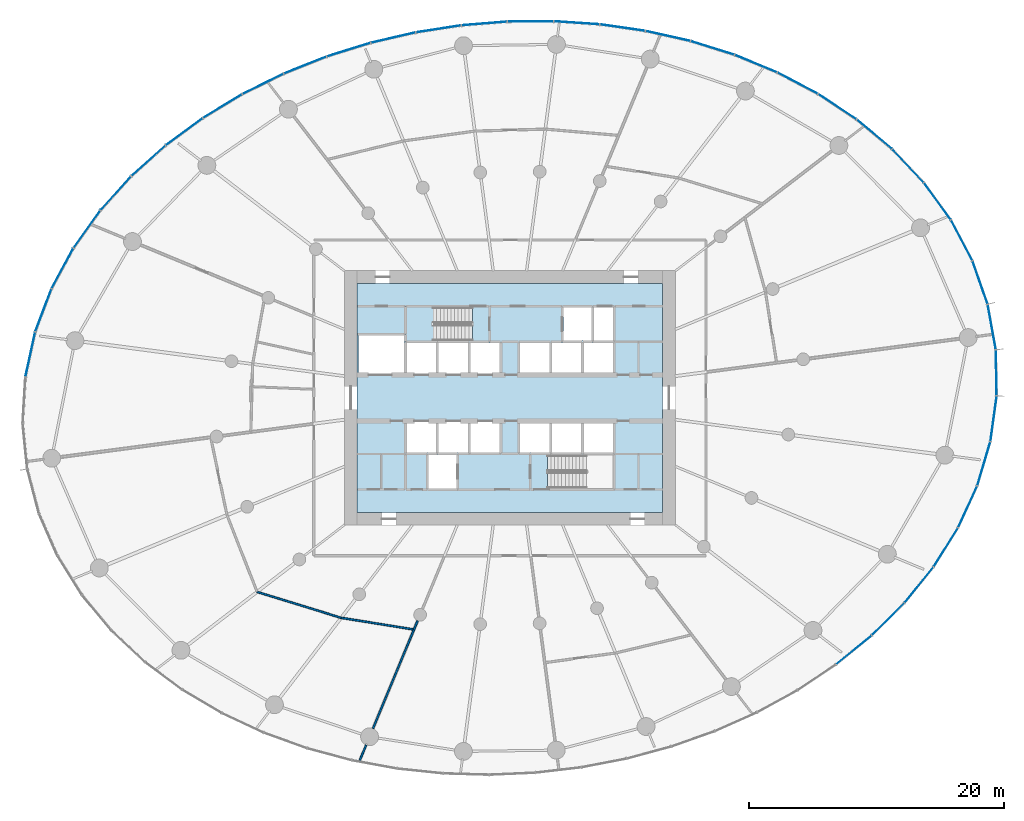
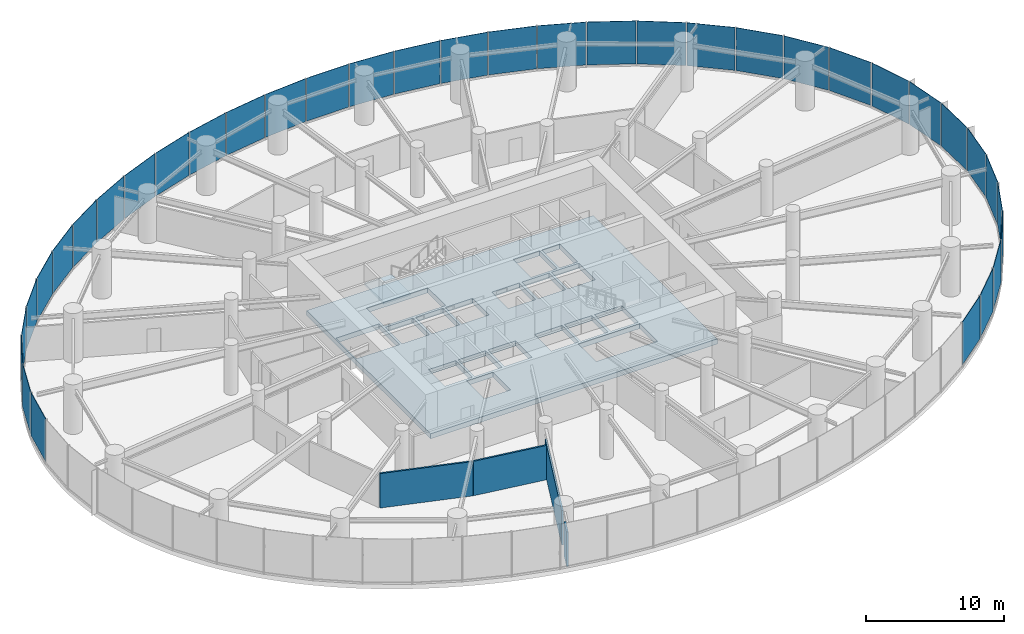
# One storey, part 10 of 17: 36 plates, 4 walls, 2 slabs, 8 elements without a shape of their own.
"""IFC4 building model written with IfcOpenShell, lengths in metres."""

from ifc_helpers import new_model, si_unit, direction, frame, frame_2d, origin, origin_2d, place, context, subcontext, project, spatial, line, indexed_curve, rectangle, outline, extrude, source, transform, mapped, material, layer, layer_set, type_object, element, aggregate, save


model = new_model("IFC4")

# Units and contexts
model_context = context("Model", 3, precision=1e-05, world=origin(), true_north=direction((0.0, 1.0)))
body_context = subcontext(model_context, "Body", "Model", "MODEL_VIEW")
ifc_project = project(units=[si_unit("LENGTHUNIT", "METRE"), si_unit("AREAUNIT", "SQUARE_METRE"), si_unit("VOLUMEUNIT", "CUBIC_METRE"), si_unit("PLANEANGLEUNIT", "RADIAN"), si_unit("MASSUNIT", "GRAM", prefix="KILO")], contexts=[model_context])

# Site, building, storey
site_placement = place(None, origin())
site = spatial("IfcSite", under=ifc_project, at=site_placement, CompositionType="ELEMENT")
building_placement = place(site_placement, origin())
building = spatial("IfcBuilding", under=site, at=building_placement, Name="Spindrift Exchange Tower", CompositionType="ELEMENT")
storey_placement = place(building_placement, frame((0.0, 0.0, 35.800048828125)))
storey = spatial("IfcBuildingStorey", under=building, at=storey_placement, Name="L08", CompositionType="ELEMENT", Elevation=35.800048828125)

# Slab
ifc_material_1 = material(Name="Concrete 50 MPa", Category="concrete")
ifc_layer_1 = layer(ifc_material_1, 0.449951171875)
ifc_layer_set_1 = layer_set([ifc_layer_1], Name="SL-CORE-FLOOR-450")
slab_type_1 = type_object("IfcSlabType", Name="SL-CORE-FLOOR-450", PredefinedType="FLOOR", material=ifc_layer_set_1)
slab_1_placement = place(storey_placement, frame((0.0, 0.0, -0.449951171875)))
element("IfcSlab", 1, at=slab_1_placement, inside=storey, type_object=slab_type_1, Name="L08 Core floor slab", PredefinedType="FLOOR", context=body_context, shape_type="SweptSolid", body=[
    extrude(outline(indexed_curve([(40.0, 39.0), (40.0, 57.0), (64.0, 57.0), (64.0, 39.0)], segments=[line(1, 2, 3, 4, 1)], self_intersect=False), holes=[indexed_curve([(47.800048828125, 43.5), (45.60009765625, 43.5), (45.60009765625, 40.89990234375), (47.800048828125, 40.89990234375)], segments=[line(1, 2, 3, 4, 1)], self_intersect=False), indexed_curve([(46.199951171875, 46.10009765625), (43.89990234375, 46.10009765625), (43.89990234375, 43.699951171875), (46.199951171875, 43.699951171875)], segments=[line(1, 2, 3, 4, 1)], self_intersect=False), indexed_curve([(48.699951171875, 46.10009765625), (46.39990234375, 46.10009765625), (46.39990234375, 43.699951171875), (48.699951171875, 43.699951171875)], segments=[line(1, 2, 3, 4, 1)], self_intersect=False), indexed_curve([(51.199951171875, 46.10009765625), (48.89990234375, 46.10009765625), (48.89990234375, 43.699951171875), (51.199951171875, 43.699951171875)], segments=[line(1, 2, 3, 4, 1)], self_intersect=False), indexed_curve([(46.199951171875, 52.300048828125), (43.89990234375, 52.300048828125), (43.89990234375, 49.89990234375), (46.199951171875, 49.89990234375)], segments=[line(1, 2, 3, 4, 1)], self_intersect=False), indexed_curve([(48.699951171875, 52.300048828125), (46.39990234375, 52.300048828125), (46.39990234375, 49.89990234375), (48.699951171875, 49.89990234375)], segments=[line(1, 2, 3, 4, 1)], self_intersect=False), indexed_curve([(51.199951171875, 52.300048828125), (48.89990234375, 52.300048828125), (48.89990234375, 49.89990234375), (51.199951171875, 49.89990234375)], segments=[line(1, 2, 3, 4, 1)], self_intersect=False), indexed_curve([(43.699951171875, 49.89990234375), (43.699951171875, 52.89990234375), (40.10009765625, 52.89990234375), (40.10009765625, 49.89990234375)], segments=[line(1, 2, 3, 4, 1)], self_intersect=False), indexed_curve([(49.0439453125, 55.093994140625), (43.906005859375, 55.093994140625), (43.906005859375, 52.506103515625), (49.0439453125, 52.506103515625)], segments=[line(1, 2, 3, 4, 1)], self_intersect=False), indexed_curve([(60.093994140625, 40.906005859375), (60.093994140625, 43.493896484375), (54.9560546875, 43.493896484375), (54.9560546875, 40.906005859375)], segments=[line(1, 2, 3, 4, 1)], self_intersect=False), indexed_curve([(55.10009765625, 46.10009765625), (52.800048828125, 46.10009765625), (52.800048828125, 43.699951171875), (55.10009765625, 43.699951171875)], segments=[line(1, 2, 3, 4, 1)], self_intersect=False), indexed_curve([(57.60009765625, 46.10009765625), (55.300048828125, 46.10009765625), (55.300048828125, 43.699951171875), (57.60009765625, 43.699951171875)], segments=[line(1, 2, 3, 4, 1)], self_intersect=False), indexed_curve([(60.10009765625, 46.10009765625), (57.800048828125, 46.10009765625), (57.800048828125, 43.699951171875), (60.10009765625, 43.699951171875)], segments=[line(1, 2, 3, 4, 1)], self_intersect=False), indexed_curve([(55.10009765625, 52.300048828125), (52.800048828125, 52.300048828125), (52.800048828125, 49.89990234375), (55.10009765625, 49.89990234375)], segments=[line(1, 2, 3, 4, 1)], self_intersect=False), indexed_curve([(57.60009765625, 52.300048828125), (55.300048828125, 52.300048828125), (55.300048828125, 49.89990234375), (57.60009765625, 49.89990234375)], segments=[line(1, 2, 3, 4, 1)], self_intersect=False), indexed_curve([(60.10009765625, 52.300048828125), (57.800048828125, 52.300048828125), (57.800048828125, 49.89990234375), (60.10009765625, 49.89990234375)], segments=[line(1, 2, 3, 4, 1)], self_intersect=False), indexed_curve([(58.39990234375, 52.5), (58.39990234375, 55.10009765625), (56.199951171875, 55.10009765625), (56.199951171875, 52.5)], segments=[line(1, 2, 3, 4, 1)], self_intersect=False), indexed_curve([(60.10009765625, 52.5), (60.10009765625, 55.10009765625), (58.60009765625, 55.10009765625), (58.60009765625, 52.5)], segments=[line(1, 2, 3, 4, 1)], self_intersect=False)]), origin(), (0.0, 0.0, 1.0), 0.449951171875),
])

# Stair, slab
stair_type = type_object("IfcStairType", Name="ST-1250-R183", PredefinedType="HALF_TURN_STAIR", material=ifc_material_1)
stair_placement = place(storey_placement, origin())
stair = element("IfcStair", 2, at=stair_placement, inside=storey, type_object=stair_type, Name="L08 Exit stair ST1", PredefinedType="HALF_TURN_STAIR")
ifc_layer_2 = layer(ifc_material_1, 0.199951171875)
ifc_layer_set_2 = layer_set([ifc_layer_2], Name="SL-LANDING")
slab_type_2 = type_object("IfcSlabType", Name="SL-LANDING", PredefinedType="LANDING", material=ifc_layer_set_2)
slab_2_placement = place(storey_placement, frame((0.0, 0.0, 2.0)))
slab_2 = element("IfcSlab", 3, at=slab_2_placement, type_object=slab_type_2, Name="ST1 landing 1", PredefinedType="LANDING", context=body_context, shape_type="SweptSolid", body=[
    extrude(outline(indexed_curve([(46.050048828125, 52.39990234375), (43.800048828125, 52.39990234375), (43.800048828125, 55.199951171875), (46.050048828125, 55.199951171875)], segments=[line(1, 2, 3, 4, 1)], self_intersect=False)), origin(), (0.0, 0.0, 1.0), 0.199951171875),
])
aggregate(stair, [slab_2])

# Curtain wall, plate
ifc_material_2 = material(Name="Fritted laminated glass with bronze frame", Category="glass")
ifc_layer_3 = layer(ifc_material_2, 0.199951171875)
ifc_layer_set_3 = layer_set([ifc_layer_3], Name="ZONE 1 BRONZE FRITTED WALL")
curtain_wall_type = type_object("IfcCurtainWallType", Name="ZONE 1 BRONZE FRITTED WALL", PredefinedType="NOTDEFINED", material=ifc_layer_set_3)
curtain_wall_1_placement = place(storey_placement, origin())
curtain_wall_1 = element("IfcCurtainWall", 4, at=curtain_wall_1_placement, inside=storey, type_object=curtain_wall_type, Name="L08 Zone 1 Bronze Fritted Wall run 1", PredefinedType="NOTDEFINED")
ifc_material_3 = material(Name="Bronze fritted laminated glass, dense frit", Category="glass")
ifc_layer_4 = layer(ifc_material_3, 0.035888671875)
ifc_layer_set_4 = layer_set([ifc_layer_4], Name="ZONE 1 BRONZE FRITTED WALL PANEL DENSE FRIT 420")
plate_type_1 = type_object("IfcPlateType", Name="ZONE 1 BRONZE FRITTED WALL PANEL DENSE FRIT 420", PredefinedType="CURTAIN_PANEL", material=ifc_layer_set_4)
shared_shape_1 = source(origin(), body_context, "Body", "SweptSolid", [
    extrude(rectangle(XDim=3.544189453125, YDim=0.035888671875, at=origin_2d()), origin(), (0.0, 0.0, 1.0), 3.800048828125),
])
plate_1_placement = place(storey_placement, frame((89.841064453125, 53.5673828125, 0.14990234375), z_axis=(0.0, 0.0, 1.0), x_axis=(-0.177632673622, 0.984096861727, 0.0)))
plate_1 = element("IfcPlate", 5, at=plate_1_placement, type_object=plate_type_1, Name="L08 panel CW-1.1", PredefinedType="CURTAIN_PANEL", context=body_context, shape_type="MappedRepresentation", body=[
    mapped(shared_shape_1, transform((0.0, 0.0, 0.0), scale=1.0)),
])

curtain_wall_2_placement = place(storey_placement, origin())
curtain_wall_2 = element("IfcCurtainWall", 6, at=curtain_wall_2_placement, inside=storey, type_object=curtain_wall_type, Name="L08 Zone 1 Bronze Fritted Wall run 10", PredefinedType="NOTDEFINED")
shared_shape_2 = source(origin(), body_context, "Body", "SweptSolid", [
    extrude(rectangle(XDim=3.544677734375, YDim=0.035888671875, at=origin_2d()), origin(), (0.0, 0.0, 1.0), 3.800048828125),
])
plate_2_placement = place(storey_placement, frame((89.98291015625, 46.364990234375, 0.14990234375), z_axis=(0.0, 0.0, 1.0), x_axis=(0.137562101098, 0.990493144015, 0.0)))
plate_2 = element("IfcPlate", 7, at=plate_2_placement, type_object=plate_type_1, Name="L08 panel CW-1.58", PredefinedType="CURTAIN_PANEL", context=body_context, shape_type="MappedRepresentation", body=[
    mapped(shared_shape_2, transform((0.0, 0.0, 0.0), scale=1.0)),
])

# Plate
ifc_layer_5 = layer(ifc_material_3, 0.035888671875)
ifc_layer_set_5 = layer_set([ifc_layer_5], Name="ZONE 1 BRONZE FRITTED WALL PANEL DENSE FRIT 180")
plate_type_2 = type_object("IfcPlateType", Name="ZONE 1 BRONZE FRITTED WALL PANEL DENSE FRIT 180", PredefinedType="CURTAIN_PANEL", material=ifc_layer_set_5)
shared_shape_3 = source(origin(), body_context, "Body", "SweptSolid", [
    extrude(rectangle(XDim=3.544921875, YDim=0.035888671875, at=origin_2d()), origin(), (0.0, 0.0, 1.0), 3.800048828125),
])
plate_3_placement = place(storey_placement, frame((87.478515625, 60.37548828125, 0.14990234375), z_axis=(0.0, 0.0, 1.0), x_axis=(-0.467150689293, 0.884177716013, 0.0)))
plate_3 = element("IfcPlate", 8, at=plate_3_placement, type_object=plate_type_2, Name="L08 panel CW-1.3", PredefinedType="CURTAIN_PANEL", context=body_context, shape_type="MappedRepresentation", body=[
    mapped(shared_shape_3, transform((0.0, 0.0, 0.0), scale=1.0)),
])

plate_4_placement = place(storey_placement, frame((89.218017578125, 42.83251953125, 0.14990234375), z_axis=(0.0, 0.0, 1.0), x_axis=(0.284413602748, 0.958701675482, 0.0)))
plate_4 = element("IfcPlate", 9, at=plate_4_placement, type_object=plate_type_2, Name="L08 panel CW-1.57", PredefinedType="CURTAIN_PANEL", context=body_context, shape_type="MappedRepresentation", body=[
    mapped(shared_shape_3, transform((0.0, 0.0, 0.0), scale=1.0)),
])

# Curtain wall, plate
curtain_wall_3_placement = place(storey_placement, origin())
curtain_wall_3 = element("IfcCurtainWall", 10, at=curtain_wall_3_placement, inside=storey, type_object=curtain_wall_type, Name="L08 Zone 1 Bronze Fritted Wall run 9", PredefinedType="NOTDEFINED")
ifc_layer_6 = layer(ifc_material_3, 0.035888671875)
ifc_layer_set_6 = layer_set([ifc_layer_6], Name="ZONE 1 BRONZE FRITTED WALL PANEL DENSE FRIT 300")
plate_type_3 = type_object("IfcPlateType", Name="ZONE 1 BRONZE FRITTED WALL PANEL DENSE FRIT 300", PredefinedType="CURTAIN_PANEL", material=ifc_layer_set_6)
shared_shape_4 = source(origin(), body_context, "Body", "SweptSolid", [
    extrude(rectangle(XDim=3.54638671875, YDim=0.035888671875, at=origin_2d()), origin(), (0.0, 0.0, 1.0), 3.800048828125),
])
plate_5_placement = place(storey_placement, frame((84.130615234375, 33.314208984375, 0.14990234375), z_axis=(0.0, 0.0, 1.0), x_axis=(0.627863897344, 0.778323150377, 0.0)))
plate_5 = element("IfcPlate", 11, at=plate_5_placement, type_object=plate_type_3, Name="L08 panel CW-1.54", PredefinedType="CURTAIN_PANEL", context=body_context, shape_type="MappedRepresentation", body=[
    mapped(shared_shape_4, transform((0.0, 0.0, 0.0), scale=1.0)),
])

# Curtain wall, plates
curtain_wall_4_placement = place(storey_placement, origin())
curtain_wall_4 = element("IfcCurtainWall", 12, at=curtain_wall_4_placement, inside=storey, type_object=curtain_wall_type, Name="L08 Zone 1 Bronze Fritted Wall run 2", PredefinedType="NOTDEFINED")
shared_shape_5 = source(origin(), body_context, "Body", "SweptSolid", [
    extrude(rectangle(XDim=3.546875, YDim=0.035888671875, at=origin_2d()), origin(), (0.0, 0.0, 1.0), 3.800048828125),
])
plate_6_placement = place(storey_placement, frame((74.59912109375, 72.716064453125, 0.14990234375), z_axis=(0.0, 0.0, 1.0), x_axis=(-0.885056703029, 0.465483224643, 0.0)))
plate_6 = element("IfcPlate", 13, at=plate_6_placement, type_object=plate_type_3, Name="L08 panel CW-1.8", PredefinedType="CURTAIN_PANEL", context=body_context, shape_type="MappedRepresentation", body=[
    mapped(shared_shape_5, transform((0.0, 0.0, 0.0), scale=1.0)),
])
plate_7_placement = place(storey_placement, frame((71.3173828125, 74.2509765625, 0.14990234375), z_axis=(0.0, 0.0, 1.0), x_axis=(-0.924581944543, 0.380983238247, 0.0)))
plate_7 = element("IfcPlate", 14, at=plate_7_placement, type_object=plate_type_3, Name="L08 panel CW-1.9", PredefinedType="CURTAIN_PANEL", context=body_context, shape_type="MappedRepresentation", body=[
    mapped(shared_shape_5, transform((0.0, 0.0, 0.0), scale=1.0)),
])

# Plate
plate_8_placement = place(storey_placement, frame((79.012451171875, 28.202880859375, 0.14990234375), z_axis=(0.0, 0.0, 1.0), x_axis=(0.776412821376, 0.630224666927, 0.0)))
plate_8 = element("IfcPlate", 15, at=plate_8_placement, type_object=plate_type_3, Name="L08 panel CW-1.52", PredefinedType="CURTAIN_PANEL", context=body_context, shape_type="MappedRepresentation", body=[
    mapped(shared_shape_5, transform((0.0, 0.0, 0.0), scale=1.0)),
])

# Curtain wall, plate
curtain_wall_5_placement = place(storey_placement, origin())
curtain_wall_5 = element("IfcCurtainWall", 16, at=curtain_wall_5_placement, inside=storey, type_object=curtain_wall_type, Name="L08 Zone 1 Bronze Fritted Wall run 4", PredefinedType="NOTDEFINED")
shared_shape_6 = source(origin(), body_context, "Body", "SweptSolid", [
    extrude(rectangle(XDim=3.547119140625, YDim=0.035888671875, at=origin_2d()), origin(), (0.0, 0.0, 1.0), 3.800048828125),
])
plate_9_placement = place(storey_placement, frame((29.4326171875, 70.91943359375, 0.14990234375), z_axis=(0.0, 0.0, 1.0), x_axis=(-0.855547744391, -0.517723919736, 0.0)))
plate_9 = element("IfcPlate", 17, at=plate_9_placement, type_object=plate_type_1, Name="L08 panel CW-1.21", PredefinedType="CURTAIN_PANEL", context=body_context, shape_type="MappedRepresentation", body=[
    mapped(shared_shape_6, transform((0.0, 0.0, 0.0), scale=1.0)),
])

# Plate
shared_shape_7 = source(origin(), body_context, "Body", "SweptSolid", [
    extrude(rectangle(XDim=3.547119140625, YDim=0.035888671875, at=origin_2d()), origin(), (0.0, 0.0, 1.0), 3.800048828125),
])
plate_10_placement = place(storey_placement, frame((64.409912109375, 76.424072265625, 0.14990234375), z_axis=(0.0, 0.0, 1.0), x_axis=(-0.975648372969, 0.219340494033, 0.0)))
plate_10 = element("IfcPlate", 18, at=plate_10_placement, type_object=plate_type_3, Name="L08 panel CW-1.11", PredefinedType="CURTAIN_PANEL", context=body_context, shape_type="MappedRepresentation", body=[
    mapped(shared_shape_7, transform((0.0, 0.0, 0.0), scale=1.0)),
])

# Curtain wall, plate
curtain_wall_6_placement = place(storey_placement, origin())
curtain_wall_6 = element("IfcCurtainWall", 19, at=curtain_wall_6_placement, inside=storey, type_object=curtain_wall_type, Name="L08 Zone 1 Bronze Fritted Wall run 3", PredefinedType="NOTDEFINED")
shared_shape_8 = source(origin(), body_context, "Body", "SweptSolid", [
    extrude(rectangle(XDim=3.54736328125, YDim=0.035888671875, at=origin_2d()), origin(), (0.0, 0.0, 1.0), 3.800048828125),
])
plate_11_placement = place(storey_placement, frame((53.61669921875, 77.564208984375, 0.14990234375), z_axis=(0.0, 0.0, 1.0), x_axis=(-0.999971470302, -0.007553713167, 0.0)))
plate_11 = element("IfcPlate", 20, at=plate_11_placement, type_object=plate_type_3, Name="L08 panel CW-1.14", PredefinedType="CURTAIN_PANEL", context=body_context, shape_type="MappedRepresentation", body=[
    mapped(shared_shape_8, transform((0.0, 0.0, 0.0), scale=1.0)),
])

# Plate
plate_12_placement = place(storey_placement, frame((35.920166015625, 74.137939453125, 0.14990234375), z_axis=(0.0, 0.0, 1.0), x_axis=(-0.929009907781, -0.370054848967, 0.0)))
plate_12 = element("IfcPlate", 21, at=plate_12_placement, type_object=plate_type_3, Name="L08 panel CW-1.19", PredefinedType="CURTAIN_PANEL", context=body_context, shape_type="MappedRepresentation", body=[
    mapped(shared_shape_8, transform((0.0, 0.0, 0.0), scale=1.0)),
])

shared_shape_9 = source(origin(), body_context, "Body", "SweptSolid", [
    extrude(rectangle(XDim=3.54736328125, YDim=0.035888671875, at=origin_2d()), origin(), (0.0, 0.0, 1.0), 3.800048828125),
])
plate_13_placement = place(storey_placement, frame((60.84521484375, 77.079345703125, 0.14990234375), z_axis=(0.0, 0.0, 1.0), x_axis=(-0.989869864927, 0.141977640878, 0.0)))
plate_13 = element("IfcPlate", 22, at=plate_13_placement, type_object=plate_type_2, Name="L08 panel CW-1.12", PredefinedType="CURTAIN_PANEL", context=body_context, shape_type="MappedRepresentation", body=[
    mapped(shared_shape_9, transform((0.0, 0.0, 0.0), scale=1.0)),
])

shared_shape_10 = source(origin(), body_context, "Body", "SweptSolid", [
    extrude(rectangle(XDim=3.54736328125, YDim=0.035888671875, at=origin_2d()), origin(), (0.0, 0.0, 1.0), 3.800048828125),
])
plate_14_placement = place(storey_placement, frame((57.239990234375, 77.457275390625, 0.14990234375), z_axis=(0.0, 0.0, 1.0), x_axis=(-0.997788610222, 0.066467204777, 0.0)))
plate_14 = element("IfcPlate", 23, at=plate_14_placement, type_object=plate_type_1, Name="L08 panel CW-1.13", PredefinedType="CURTAIN_PANEL", context=body_context, shape_type="MappedRepresentation", body=[
    mapped(shared_shape_10, transform((0.0, 0.0, 0.0), scale=1.0)),
])

plate_15_placement = place(storey_placement, frame((49.995361328125, 77.404296875, 0.14990234375), z_axis=(0.0, 0.0, 1.0), x_axis=(-0.996752509775, -0.080525984985, 0.0)))
plate_15 = element("IfcPlate", 24, at=plate_15_placement, type_object=plate_type_1, Name="L08 panel CW-1.15", PredefinedType="CURTAIN_PANEL", context=body_context, shape_type="MappedRepresentation", body=[
    mapped(shared_shape_10, transform((0.0, 0.0, 0.0), scale=1.0)),
])

plate_16_placement = place(storey_placement, frame((46.395263671875, 76.981201171875, 0.14990234375), z_axis=(0.0, 0.0, 1.0), x_axis=(-0.988243329323, -0.152889247655, 0.0)))
plate_16 = element("IfcPlate", 25, at=plate_16_placement, type_object=plate_type_1, Name="L08 panel CW-1.16", PredefinedType="CURTAIN_PANEL", context=body_context, shape_type="MappedRepresentation", body=[
    mapped(shared_shape_10, transform((0.0, 0.0, 0.0), scale=1.0)),
])

plate_17_placement = place(storey_placement, frame((42.835693359375, 76.295654296875, 0.14990234375), z_axis=(0.0, 0.0, 1.0), x_axis=(-0.974350823153, -0.225034382753, 0.0)))
plate_17 = element("IfcPlate", 26, at=plate_17_placement, type_object=plate_type_1, Name="L08 panel CW-1.17", PredefinedType="CURTAIN_PANEL", context=body_context, shape_type="MappedRepresentation", body=[
    mapped(shared_shape_10, transform((0.0, 0.0, 0.0), scale=1.0)),
])

plate_18_placement = place(storey_placement, frame((39.336669921875, 75.348388671875, 0.14990234375), z_axis=(0.0, 0.0, 1.0), x_axis=(-0.954791935292, -0.29727489013, 0.0)))
plate_18 = element("IfcPlate", 27, at=plate_18_placement, type_object=plate_type_1, Name="L08 panel CW-1.18", PredefinedType="CURTAIN_PANEL", context=body_context, shape_type="MappedRepresentation", body=[
    mapped(shared_shape_10, transform((0.0, 0.0, 0.0), scale=1.0)),
])

aggregate(curtain_wall_6, [plate_14, plate_11, plate_15, plate_16, plate_17, plate_18])

shared_shape_11 = source(origin(), body_context, "Body", "SweptSolid", [
    extrude(rectangle(XDim=3.547119140625, YDim=0.035888671875, at=origin_2d()), origin(), (0.0, 0.0, 1.0), 3.800048828125),
])
plate_19_placement = place(storey_placement, frame((67.909912109375, 75.48388671875, 0.14990234375), z_axis=(0.0, 0.0, 1.0), x_axis=(-0.954272160511, 0.298939197284, 0.0)))
plate_19 = element("IfcPlate", 28, at=plate_19_placement, type_object=plate_type_2, Name="L08 panel CW-1.10", PredefinedType="CURTAIN_PANEL", context=body_context, shape_type="MappedRepresentation", body=[
    mapped(shared_shape_11, transform((0.0, 0.0, 0.0), scale=1.0)),
])

plate_20_placement = place(storey_placement, frame((32.60986328125, 72.66259765625, 0.14990234375), z_axis=(0.0, 0.0, 1.0), x_axis=(-0.896282956701, -0.443482650762, 0.0)))
plate_20 = element("IfcPlate", 29, at=plate_20_placement, type_object=plate_type_2, Name="L08 panel CW-1.20", PredefinedType="CURTAIN_PANEL", context=body_context, shape_type="MappedRepresentation", body=[
    mapped(shared_shape_11, transform((0.0, 0.0, 0.0), scale=1.0)),
])

shared_shape_12 = source(origin(), body_context, "Body", "SweptSolid", [
    extrude(rectangle(XDim=3.54443359375, YDim=0.035888671875, at=origin_2d()), origin(), (0.0, 0.0, 1.0), 3.800048828125),
])
plate_21_placement = place(storey_placement, frame((90.197509765625, 49.971923828125, 0.14990234375), z_axis=(0.0, 0.0, 1.0), x_axis=(-0.019092741838, 0.999817716991, 0.0)))
plate_21 = element("IfcPlate", 30, at=plate_21_placement, type_object=plate_type_3, Name="L08 panel CW-1.59", PredefinedType="CURTAIN_PANEL", context=body_context, shape_type="MappedRepresentation", body=[
    mapped(shared_shape_12, transform((0.0, 0.0, 0.0), scale=1.0)),
])

# Curtain wall, plates
curtain_wall_7_placement = place(storey_placement, origin())
curtain_wall_7 = element("IfcCurtainWall", 31, at=curtain_wall_7_placement, inside=storey, type_object=curtain_wall_type, Name="L08 Zone 1 Bronze Fritted Wall run 5", PredefinedType="NOTDEFINED")
shared_shape_13 = source(origin(), body_context, "Body", "SweptSolid", [
    extrude(rectangle(XDim=3.544921875, YDim=0.035888671875, at=origin_2d()), origin(), (0.0, 0.0, 1.0), 3.800048828125),
])
plate_22_placement = place(storey_placement, frame((14.333251953125, 51.41552734375, 0.14990234375), z_axis=(0.0, 0.0, 1.0), x_axis=(-0.212593816873, -0.977140659796, 0.0)))
plate_22 = element("IfcPlate", 32, at=plate_22_placement, type_object=plate_type_1, Name="L08 panel CW-1.28", PredefinedType="CURTAIN_PANEL", context=body_context, shape_type="MappedRepresentation", body=[
    mapped(shared_shape_13, transform((0.0, 0.0, 0.0), scale=1.0)),
])
shared_shape_14 = source(origin(), body_context, "Body", "SweptSolid", [
    extrude(rectangle(XDim=3.545166015625, YDim=0.035888671875, at=origin_2d()), origin(), (0.0, 0.0, 1.0), 3.800048828125),
])
plate_23_placement = place(storey_placement, frame((15.357421875, 54.8828125, 0.14990234375), z_axis=(0.0, 0.0, 1.0), x_axis=(-0.352447689208, -0.935831516018, 0.0)))
plate_23 = element("IfcPlate", 33, at=plate_23_placement, type_object=plate_type_3, Name="L08 panel CW-1.27", PredefinedType="CURTAIN_PANEL", context=body_context, shape_type="MappedRepresentation", body=[
    mapped(shared_shape_14, transform((0.0, 0.0, 0.0), scale=1.0)),
])
shared_shape_15 = source(origin(), body_context, "Body", "SweptSolid", [
    extrude(rectangle(XDim=3.545654296875, YDim=0.035888671875, at=origin_2d()), origin(), (0.0, 0.0, 1.0), 3.800048828125),
])
plate_24_placement = place(storey_placement, frame((16.858642578125, 58.173583984375, 0.14990234375), z_axis=(0.0, 0.0, 1.0), x_axis=(-0.475722463792, -0.879595439645, 0.0)))
plate_24 = element("IfcPlate", 34, at=plate_24_placement, type_object=plate_type_3, Name="L08 panel CW-1.26", PredefinedType="CURTAIN_PANEL", context=body_context, shape_type="MappedRepresentation", body=[
    mapped(shared_shape_15, transform((0.0, 0.0, 0.0), scale=1.0)),
])
shared_shape_16 = source(origin(), body_context, "Body", "SweptSolid", [
    extrude(rectangle(XDim=3.5458984375, YDim=0.035888671875, at=origin_2d()), origin(), (0.0, 0.0, 1.0), 3.800048828125),
])
plate_25_placement = place(storey_placement, frame((18.775146484375, 61.243408203125, 0.14990234375), z_axis=(0.0, 0.0, 1.0), x_axis=(-0.5814046642, -0.813614538001, 0.0)))
plate_25 = element("IfcPlate", 35, at=plate_25_placement, type_object=plate_type_1, Name="L08 panel CW-1.25", PredefinedType="CURTAIN_PANEL", context=body_context, shape_type="MappedRepresentation", body=[
    mapped(shared_shape_16, transform((0.0, 0.0, 0.0), scale=1.0)),
])
aggregate(curtain_wall_7, [plate_25, plate_24, plate_23, plate_22])

# Plate
shared_shape_17 = source(origin(), body_context, "Body", "SweptSolid", [
    extrude(rectangle(XDim=3.54638671875, YDim=0.035888671875, at=origin_2d()), origin(), (0.0, 0.0, 1.0), 3.800048828125),
])
plate_26_placement = place(storey_placement, frame((21.044677734375, 64.06396484375, 0.14990234375), z_axis=(0.0, 0.0, 1.0), x_axis=(-0.670363161892, -0.742033173906, 0.0)))
plate_26 = element("IfcPlate", 36, at=plate_26_placement, type_object=plate_type_2, Name="L08 panel CW-1.24", PredefinedType="CURTAIN_PANEL", context=body_context, shape_type="MappedRepresentation", body=[
    mapped(shared_shape_17, transform((0.0, 0.0, 0.0), scale=1.0)),
])

shared_shape_18 = source(origin(), body_context, "Body", "SweptSolid", [
    extrude(rectangle(XDim=3.546875, YDim=0.035888671875, at=origin_2d()), origin(), (0.0, 0.0, 1.0), 3.800048828125),
])
plate_27_placement = place(storey_placement, frame((26.42041015625, 68.90576171875, 0.14990234375), z_axis=(0.0, 0.0, 1.0), x_axis=(-0.805455827068, -0.592655811279, 0.0)))
plate_27 = element("IfcPlate", 37, at=plate_27_placement, type_object=plate_type_2, Name="L08 panel CW-1.22", PredefinedType="CURTAIN_PANEL", context=body_context, shape_type="MappedRepresentation", body=[
    mapped(shared_shape_18, transform((0.0, 0.0, 0.0), scale=1.0)),
])

shared_shape_19 = source(origin(), body_context, "Body", "SweptSolid", [
    extrude(rectangle(XDim=3.546142578125, YDim=0.035888671875, at=origin_2d()), origin(), (0.0, 0.0, 1.0), 3.800048828125),
])
plate_28_placement = place(storey_placement, frame((80.62109375, 68.70947265625, 0.14990234375), z_axis=(0.0, 0.0, 1.0), x_axis=(-0.76848569885, 0.639866963254, 0.0)))
plate_28 = element("IfcPlate", 38, at=plate_28_placement, type_object=plate_type_3, Name="L08 panel CW-1.6", PredefinedType="CURTAIN_PANEL", context=body_context, shape_type="MappedRepresentation", body=[
    mapped(shared_shape_19, transform((0.0, 0.0, 0.0), scale=1.0)),
])

shared_shape_20 = source(origin(), body_context, "Body", "SweptSolid", [
    extrude(rectangle(XDim=3.5458984375, YDim=0.035888671875, at=origin_2d()), origin(), (0.0, 0.0, 1.0), 3.800048828125),
])
plate_29_placement = place(storey_placement, frame((83.259521484375, 66.231689453125, 0.14990234375), z_axis=(0.0, 0.0, 1.0), x_axis=(-0.686842726207, 0.726806074174, 0.0)))
plate_29 = element("IfcPlate", 39, at=plate_29_placement, type_object=plate_type_3, Name="L08 panel CW-1.5", PredefinedType="CURTAIN_PANEL", context=body_context, shape_type="MappedRepresentation", body=[
    mapped(shared_shape_20, transform((0.0, 0.0, 0.0), scale=1.0)),
])

plate_30_placement = place(storey_placement, frame((86.231201171875, 36.26171875, 0.14990234375), z_axis=(0.0, 0.0, 1.0), x_axis=(0.530747879954, 0.847529756365, 0.0)))
plate_30 = element("IfcPlate", 40, at=plate_30_placement, type_object=plate_type_3, Name="L08 panel CW-1.55", PredefinedType="CURTAIN_PANEL", context=body_context, shape_type="MappedRepresentation", body=[
    mapped(shared_shape_20, transform((0.0, 0.0, 0.0), scale=1.0)),
])

shared_shape_21 = source(origin(), body_context, "Body", "SweptSolid", [
    extrude(rectangle(XDim=3.54541015625, YDim=0.035888671875, at=origin_2d()), origin(), (0.0, 0.0, 1.0), 3.800048828125),
])
plate_31_placement = place(storey_placement, frame((85.568359375, 63.446044921875, 0.14990234375), z_axis=(0.0, 0.0, 1.0), x_axis=(-0.586708788008, 0.809797998315, 0.0)))
plate_31 = element("IfcPlate", 41, at=plate_31_placement, type_object=plate_type_3, Name="L08 panel CW-1.4", PredefinedType="CURTAIN_PANEL", context=body_context, shape_type="MappedRepresentation", body=[
    mapped(shared_shape_21, transform((0.0, 0.0, 0.0), scale=1.0)),
])

plate_32_placement = place(storey_placement, frame((87.947998046875, 39.446533203125, 0.14990234375), z_axis=(0.0, 0.0, 1.0), x_axis=(0.416279205343, 0.909236835593, 0.0)))
plate_32 = element("IfcPlate", 42, at=plate_32_placement, type_object=plate_type_3, Name="L08 panel CW-1.56", PredefinedType="CURTAIN_PANEL", context=body_context, shape_type="MappedRepresentation", body=[
    mapped(shared_shape_21, transform((0.0, 0.0, 0.0), scale=1.0)),
])

aggregate(curtain_wall_2, [plate_30, plate_32, plate_4, plate_2, plate_21])

shared_shape_22 = source(origin(), body_context, "Body", "SweptSolid", [
    extrude(rectangle(XDim=3.546630859375, YDim=0.035888671875, at=origin_2d()), origin(), (0.0, 0.0, 1.0), 3.800048828125),
])
plate_33_placement = place(storey_placement, frame((23.610107421875, 66.6201171875, 0.14990234375), z_axis=(0.0, 0.0, 1.0), x_axis=(-0.744394297243, -0.667740316465, 0.0)))
plate_33 = element("IfcPlate", 43, at=plate_33_placement, type_object=plate_type_3, Name="L08 panel CW-1.23", PredefinedType="CURTAIN_PANEL", context=body_context, shape_type="MappedRepresentation", body=[
    mapped(shared_shape_22, transform((0.0, 0.0, 0.0), scale=1.0)),
])

aggregate(curtain_wall_5, [plate_12, plate_20, plate_9, plate_27, plate_33, plate_26])

shared_shape_23 = source(origin(), body_context, "Body", "SweptSolid", [
    extrude(rectangle(XDim=3.546630859375, YDim=0.035888671875, at=origin_2d()), origin(), (0.0, 0.0, 1.0), 3.800048828125),
])
plate_34_placement = place(storey_placement, frame((77.7158203125, 70.870849609375, 0.14990234375), z_axis=(0.0, 0.0, 1.0), x_axis=(-0.833773097205, 0.552107256225, 0.0)))
plate_34 = element("IfcPlate", 44, at=plate_34_placement, type_object=plate_type_1, Name="L08 panel CW-1.7", PredefinedType="CURTAIN_PANEL", context=body_context, shape_type="MappedRepresentation", body=[
    mapped(shared_shape_23, transform((0.0, 0.0, 0.0), scale=1.0)),
])

aggregate(curtain_wall_4, [plate_34, plate_6, plate_7, plate_19, plate_10, plate_13])

plate_35_placement = place(storey_placement, frame((81.706298828125, 30.62451171875, 0.14990234375), z_axis=(0.0, 0.0, 1.0), x_axis=(0.709130322959, 0.70507743196, 0.0)))
plate_35 = element("IfcPlate", 45, at=plate_35_placement, type_object=plate_type_1, Name="L08 panel CW-1.53", PredefinedType="CURTAIN_PANEL", context=body_context, shape_type="MappedRepresentation", body=[
    mapped(shared_shape_23, transform((0.0, 0.0, 0.0), scale=1.0)),
])

aggregate(curtain_wall_3, [plate_8, plate_35, plate_5])

shared_shape_24 = source(origin(), body_context, "Body", "SweptSolid", [
    extrude(rectangle(XDim=3.544677734375, YDim=0.035888671875, at=origin_2d()), origin(), (0.0, 0.0, 1.0), 3.800048828125),
])
plate_36_placement = place(storey_placement, frame((88.922119140625, 57.061767578125, 0.14990234375), z_axis=(0.0, 0.0, 1.0), x_axis=(-0.329357780051, 0.9442051963, 0.0)))
plate_36 = element("IfcPlate", 46, at=plate_36_placement, type_object=plate_type_2, Name="L08 panel CW-1.2", PredefinedType="CURTAIN_PANEL", context=body_context, shape_type="MappedRepresentation", body=[
    mapped(shared_shape_24, transform((0.0, 0.0, 0.0), scale=1.0)),
])

aggregate(curtain_wall_1, [plate_1, plate_36, plate_3, plate_31, plate_29, plate_28])

# Walls
ifc_material_4 = material(Name="Fire-rated plasterboard partition", Category="gypsum")
ifc_layer_7 = layer(ifc_material_4, 0.139892578125)
ifc_layer_set_7 = layer_set([ifc_layer_7], Name="W-PLANT-140")
wall_type = type_object("IfcWallType", Name="W-PLANT-140", PredefinedType="PARTITIONING", material=ifc_layer_set_7)
wall_1_placement = place(storey_placement, frame((41.2470703125, 22.039794921875, 0.0), z_axis=(0.0, 0.0, 1.0), x_axis=(0.382672728165, 0.923883966264, 0.0)))
element("IfcWall", 47, at=wall_1_placement, inside=storey, type_object=wall_type, Name="L08 Partition wall 68", PredefinedType="PARTITIONING", context=body_context, shape_type="SweptSolid", body=[
    extrude(rectangle(XDim=9.15966796875, YDim=0.139892578125, at=frame_2d((4.579833984375, 0.0))), origin(), (0.0, 0.0, 1.0), 3.050048828125),
])
wall_2_placement = place(storey_placement, frame((32.14453125, 32.764404296875, 0.0), z_axis=(0.0, 0.0, 1.0), x_axis=(0.955628382182, -0.294574939816, 0.0)))
element("IfcWall", 48, at=wall_2_placement, inside=storey, type_object=wall_type, Name="L08 Partition wall 75", PredefinedType="PARTITIONING", context=body_context, shape_type="SweptSolid", body=[
    extrude(rectangle(XDim=6.90966796875, YDim=0.139892578125, at=frame_2d((3.454833984375, 0.0))), origin(), (0.0, 0.0, 1.0), 3.050048828125),
])
wall_3_placement = place(storey_placement, frame((38.777099609375, 30.72412109375, 0.0), z_axis=(0.0, 0.0, 1.0), x_axis=(0.987350770866, -0.158551112488, 0.0)))
element("IfcWall", 49, at=wall_3_placement, inside=storey, type_object=wall_type, Name="L08 Partition wall 83", PredefinedType="PARTITIONING", context=body_context, shape_type="SweptSolid", body=[
    extrude(rectangle(XDim=5.689697265625, YDim=0.139892578125, at=frame_2d((2.8447265625, 0.0))), origin(), (0.0, 0.0, 1.0), 3.050048828125),
])
wall_4_placement = place(storey_placement, frame((40.70751953125, 20.7373046875, 0.0), z_axis=(0.0, 0.0, 1.0), x_axis=(-0.382814774468, -0.923825117892, 0.0)))
element("IfcWall", 50, at=wall_4_placement, inside=storey, type_object=wall_type, Name="L08 Partition wall 115", PredefinedType="PARTITIONING", context=body_context, shape_type="SweptSolid", body=[
    extrude(rectangle(XDim=1.319580078125, YDim=0.139892578125, at=frame_2d((0.65966796875, 0.0))), origin(), (0.0, 0.0, 1.0), 3.050048828125),
])

save(model, "model.ifc")
